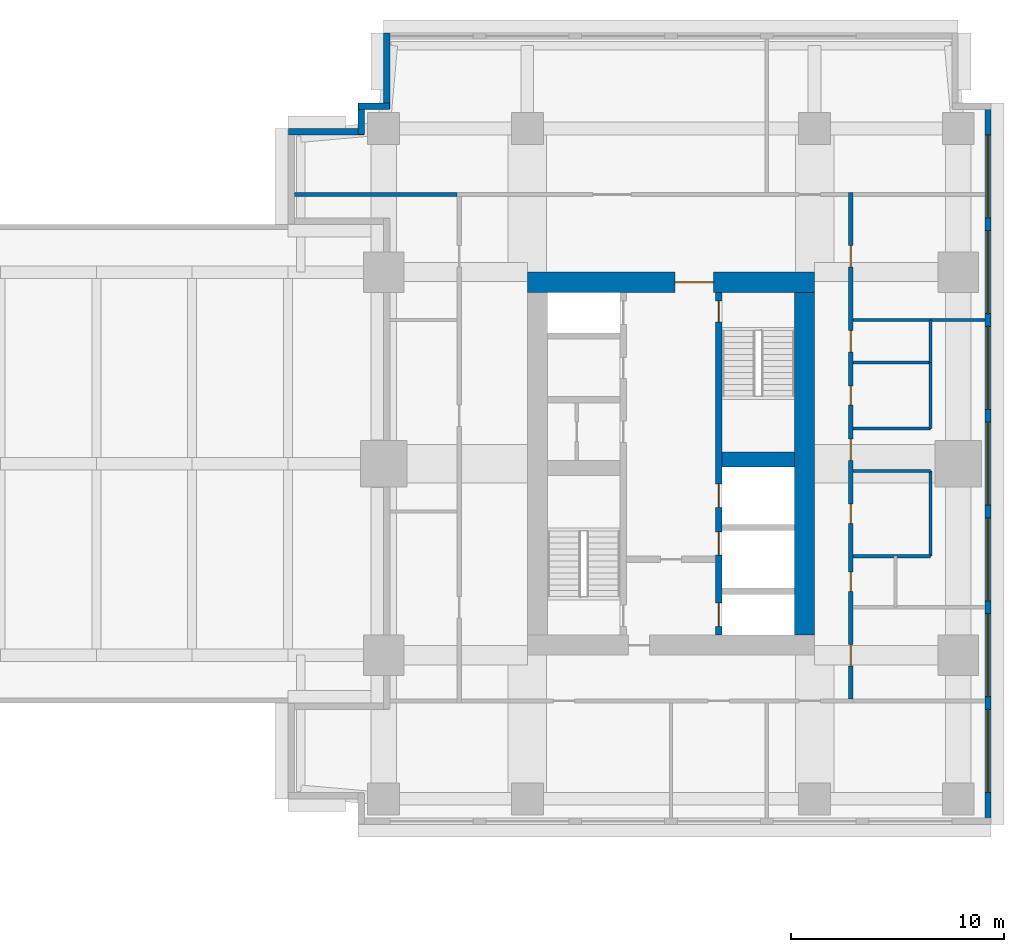
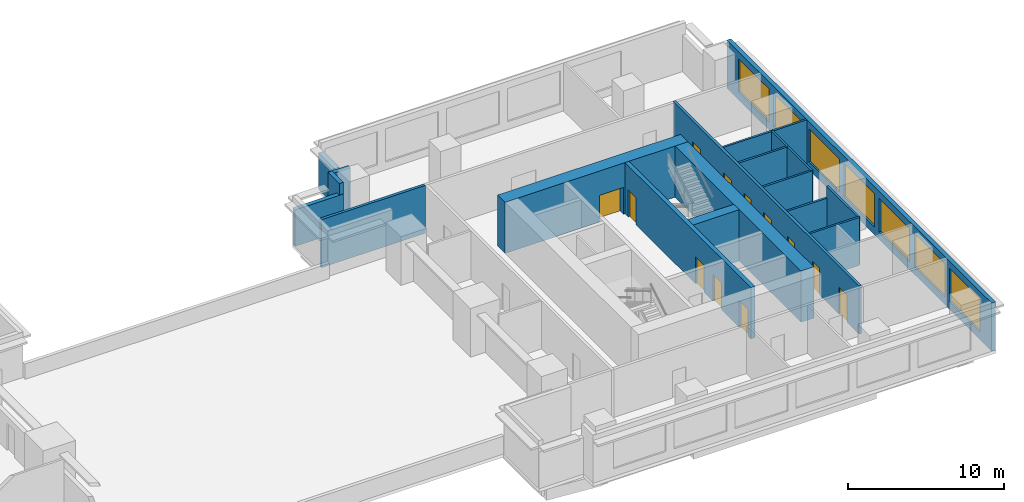
# One storey, part 7 of 10: 19 walls, 12 doors, 7 windows, 19 openings.
"""IFC4 building model written with IfcOpenShell, lengths in metres."""

from ifc_helpers import new_model, si_unit, direction, frame, frame_2d, origin, place, context, subcontext, project, spatial, rectangle, extrude, material, layer, layer_set, type_object, element, fill, save


model = new_model("IFC4")

# Units and contexts
model_context = context("Model", 3, precision=1e-05, world=origin(), true_north=direction((0.0, 1.0)))
body_context = subcontext(model_context, "Body", "Model", "MODEL_VIEW")
ifc_project = project(units=[si_unit("LENGTHUNIT", "METRE"), si_unit("AREAUNIT", "SQUARE_METRE"), si_unit("VOLUMEUNIT", "CUBIC_METRE"), si_unit("PLANEANGLEUNIT", "RADIAN"), si_unit("MASSUNIT", "GRAM", prefix="KILO")], contexts=[model_context])

# Site, building, storey
site_placement = place(None, origin())
site = spatial("IfcSite", under=ifc_project, at=site_placement, CompositionType="ELEMENT")
building_placement = place(site_placement, origin())
building = spatial("IfcBuilding", under=site, at=building_placement, Name="Namib Vertical Campus", CompositionType="ELEMENT")
storey_placement = place(building_placement, frame((0.0, 0.0, 137.0)))
storey = spatial("IfcBuildingStorey", under=building, at=storey_placement, Name="L32", CompositionType="ELEMENT", Elevation=137.0)

# Wall, openings, doors
ifc_material_1 = material(Name="Concrete C60/75", Category="concrete")
ifc_layer_1 = layer(ifc_material_1, 0.300048828125)
ifc_layer_set_1 = layer_set([ifc_layer_1], Name="Concrete C60/75")
wall_type_1 = type_object("IfcWallType", Name="Core inner wall 300", PredefinedType="SHEAR", material=ifc_layer_set_1)
wall_1_placement = place(storey_placement, frame((83.25, 12.199951171875, 0.0), z_axis=(0.0, 0.0, 1.0), x_axis=(0.0, 1.0, 0.0)))
wall_1 = element("IfcWall", 1, at=wall_1_placement, inside=storey, type_object=wall_type_1, Name="Core inner wall B L32 W2", PredefinedType="SHEAR", context=body_context, shape_type="SweptSolid", body=[
    extrude(rectangle(XDim=16.10009765625, YDim=0.300048828125, at=frame_2d((8.050048828125, 0.0))), origin(), (0.0, 0.0, 1.0), 4.0),
])
opening_1_placement = place(wall_1_placement, frame((14.699951171875, 0.0, 0.0)))
opening_1 = element("IfcOpeningElement", 2, at=opening_1_placement, cuts=wall_1, Name="Opening FD1", PredefinedType="OPENING", context=body_context, shape_type="SweptSolid", body=[
    extrude(rectangle(XDim=1.0, YDim=2.10009765625, at=frame_2d((0.5, 1.050048828125))), frame((0.0, 0.159912109375, 0.0), z_axis=(0.0, -1.0, 0.0), x_axis=(1.0, 0.0, 0.0)), (0.0, 0.0, 1.0), 0.320068359375),
])
opening_2_placement = place(wall_1_placement, frame((0.39990234375, 0.0, 0.0)))
opening_2 = element("IfcOpeningElement", 3, at=opening_2_placement, cuts=wall_1, Name="Opening LD1", PredefinedType="OPENING", context=body_context, shape_type="SweptSolid", body=[
    extrude(rectangle(XDim=1.10009765625, YDim=2.10009765625, at=frame_2d((0.550048828125, 1.050048828125))), frame((0.0, 0.159912109375, 0.0), z_axis=(0.0, -1.0, 0.0), x_axis=(1.0, 0.0, 0.0)), (0.0, 0.0, 1.0), 0.320068359375),
])
opening_3_placement = place(wall_1_placement, frame((3.75, 0.0, 0.0)))
opening_3 = element("IfcOpeningElement", 4, at=opening_3_placement, cuts=wall_1, Name="Opening LD1", PredefinedType="OPENING", context=body_context, shape_type="SweptSolid", body=[
    extrude(rectangle(XDim=1.10009765625, YDim=2.10009765625, at=frame_2d((0.550048828125, 1.050048828125))), frame((0.0, 0.159912109375, 0.0), z_axis=(0.0, -1.0, 0.0), x_axis=(1.0, 0.0, 0.0)), (0.0, 0.0, 1.0), 0.320068359375),
])
opening_4_placement = place(wall_1_placement, frame((6.0, 0.0, 0.0)))
opening_4 = element("IfcOpeningElement", 5, at=opening_4_placement, cuts=wall_1, Name="Opening LD1", PredefinedType="OPENING", context=body_context, shape_type="SweptSolid", body=[
    extrude(rectangle(XDim=1.10009765625, YDim=2.10009765625, at=frame_2d((0.550048828125, 1.050048828125))), frame((0.0, 0.159912109375, 0.0), z_axis=(0.0, -1.0, 0.0), x_axis=(1.0, 0.0, 0.0)), (0.0, 0.0, 1.0), 0.320068359375),
])
ifc_material_2 = material(Name="Steel fire door", Category="steel")
door_type_1 = type_object("IfcDoorType", Name="Fire door 1000x2100", OperationType="SINGLE_SWING_RIGHT", PredefinedType="DOOR", material=ifc_material_2)
door_1_placement = place(opening_1_placement, frame((1.0, 0.0, 0.0), z_axis=(0.0, 0.0, 1.0), x_axis=(-1.0, 0.0, 0.0)))
door_1 = element("IfcDoor", 6, at=door_1_placement, inside=storey, type_object=door_type_1, Name="Stair door FD1 B L32 S2", OperationType="SINGLE_SWING_LEFT", OverallHeight=2.10009765625, OverallWidth=1.0, PredefinedType="DOOR", context=body_context, shape_type="SweptSolid", body=[
    extrude(rectangle(XDim=1.0, YDim=2.10009765625, at=frame_2d((0.5, 1.050048828125))), frame((0.0, 0.02490234375, 0.0), z_axis=(0.0, -1.0, 0.0), x_axis=(1.0, 0.0, 0.0)), (0.0, 0.0, 1.0), 0.050048828125),
])
fill(opening_1, door_1)
ifc_material_3 = material(Name="Stainless steel lift door", Category="steel")
door_type_2 = type_object("IfcDoorType", Name="Lift landing door 1100x2100", OperationType="DOUBLE_DOOR_SLIDING", PredefinedType="DOOR", material=ifc_material_3)
door_2_placement = place(opening_2_placement, origin())
door_2 = element("IfcDoor", 7, at=door_2_placement, inside=storey, type_object=door_type_2, Name="Lift landing door LD1 B-FL1 L32", OperationType="DOUBLE_DOOR_SLIDING", OverallHeight=2.10009765625, OverallWidth=1.10009765625, PredefinedType="DOOR", context=body_context, shape_type="SweptSolid", body=[
    extrude(rectangle(XDim=1.10009765625, YDim=2.10009765625, at=frame_2d((0.550048828125, 1.050048828125))), frame((0.0, 0.02490234375, 0.0), z_axis=(0.0, -1.0, 0.0), x_axis=(1.0, 0.0, 0.0)), (0.0, 0.0, 1.0), 0.050048828125),
])
fill(opening_2, door_2)
door_3_placement = place(opening_3_placement, origin())
door_3 = element("IfcDoor", 8, at=door_3_placement, inside=storey, type_object=door_type_2, Name="Lift landing door LD1 B-P4 L32", OperationType="DOUBLE_DOOR_SLIDING", OverallHeight=2.10009765625, OverallWidth=1.10009765625, PredefinedType="DOOR", context=body_context, shape_type="SweptSolid", body=[
    extrude(rectangle(XDim=1.10009765625, YDim=2.10009765625, at=frame_2d((0.550048828125, 1.050048828125))), frame((0.0, 0.02490234375, 0.0), z_axis=(0.0, -1.0, 0.0), x_axis=(1.0, 0.0, 0.0)), (0.0, 0.0, 1.0), 0.050048828125),
])
fill(opening_3, door_3)
door_4_placement = place(opening_4_placement, origin())
door_4 = element("IfcDoor", 9, at=door_4_placement, inside=storey, type_object=door_type_2, Name="Lift landing door LD1 B-P5 L32", OperationType="DOUBLE_DOOR_SLIDING", OverallHeight=2.10009765625, OverallWidth=1.10009765625, PredefinedType="DOOR", context=body_context, shape_type="SweptSolid", body=[
    extrude(rectangle(XDim=1.10009765625, YDim=2.10009765625, at=frame_2d((0.550048828125, 1.050048828125))), frame((0.0, 0.02490234375, 0.0), z_axis=(0.0, -1.0, 0.0), x_axis=(1.0, 0.0, 0.0)), (0.0, 0.0, 1.0), 0.050048828125),
])
fill(opening_4, door_4)

# Walls
ifc_material_4 = material(Name="Concrete C60/75", Category="concrete")
ifc_layer_2 = layer(ifc_material_4, 0.699951171875)
ifc_layer_set_2 = layer_set([ifc_layer_2], Name="Concrete C60/75")
wall_type_2 = type_object("IfcWallType", Name="Core shear wall 700", PredefinedType="SHEAR", material=ifc_layer_set_2)
wall_2_placement = place(storey_placement, frame((83.39990234375, 20.449951171875, 0.0), z_axis=(0.0, 0.0, 1.0), x_axis=(1.0, 0.0, 0.0)))
element("IfcWall", 10, at=wall_2_placement, inside=storey, type_object=wall_type_2, Name="Core shear wall B L32 W7", PredefinedType="SHEAR", context=body_context, shape_type="SweptSolid", body=[
    extrude(rectangle(XDim=3.400146484375, YDim=0.699951171875, at=frame_2d((1.7001953125, 0.0))), origin(), (0.0, 0.0, 1.0), 4.0),
])
ifc_material_5 = material(Name="Concrete C60/75", Category="concrete")
ifc_layer_3 = layer(ifc_material_5, 0.949951171875)
ifc_layer_set_3 = layer_set([ifc_layer_3], Name="Concrete C60/75")
wall_type_3 = type_object("IfcWallType", Name="Core wall 950", PredefinedType="SHEAR", material=ifc_layer_set_3)
wall_3_placement = place(storey_placement, frame((87.27490234375, 12.199951171875, 0.0), z_axis=(0.0, 0.0, 1.0), x_axis=(0.0, 1.0, 0.0)))
element("IfcWall", 11, at=wall_3_placement, inside=storey, type_object=wall_type_3, Name="Core wall B L32 2", PredefinedType="SHEAR", context=body_context, shape_type="SweptSolid", body=[
    extrude(rectangle(XDim=16.10009765625, YDim=0.949951171875, at=frame_2d((8.050048828125, 0.0))), origin(), (0.0, 0.0, 1.0), 4.0),
])

# Wall, opening, door
wall_4_placement = place(storey_placement, frame((87.75, 28.77490234375, 0.0), z_axis=(0.0, 0.0, 1.0), x_axis=(-1.0, 0.0, 0.0)))
wall_4 = element("IfcWall", 12, at=wall_4_placement, inside=storey, type_object=wall_type_3, Name="Core wall B L32 3", PredefinedType="SHEAR", context=body_context, shape_type="SweptSolid", body=[
    extrude(rectangle(XDim=13.5, YDim=0.949951171875, at=frame_2d((6.75, 0.0))), origin(), (0.0, 0.0, 1.0), 4.0),
])
opening_5_placement = place(wall_4_placement, frame((4.75, 0.0, 0.0)))
opening_5 = element("IfcOpeningElement", 13, at=opening_5_placement, cuts=wall_4, Name="Opening FD2", PredefinedType="OPENING", context=body_context, shape_type="SweptSolid", body=[
    extrude(rectangle(XDim=1.800048828125, YDim=2.10009765625, at=frame_2d((0.89990234375, 1.050048828125))), frame((0.0, 0.48486328125, 0.0), z_axis=(0.0, -1.0, 0.0), x_axis=(1.0, 0.0, 0.0)), (0.0, 0.0, 1.0), 0.969970703125),
])
ifc_material_6 = material(Name="Steel fire door", Category="steel")
door_type_3 = type_object("IfcDoorType", Name="Fire door double 1800x2100", OperationType="DOUBLE_DOOR_SINGLE_SWING", PredefinedType="DOOR", material=ifc_material_6)
door_5_placement = place(opening_5_placement, origin())
door_5 = element("IfcDoor", 14, at=door_5_placement, inside=storey, type_object=door_type_3, Name="Lift lobby door FD2 B L32", OperationType="DOUBLE_DOOR_SINGLE_SWING", OverallHeight=2.10009765625, OverallWidth=1.800048828125, PredefinedType="DOOR", context=body_context, shape_type="SweptSolid", body=[
    extrude(rectangle(XDim=1.800048828125, YDim=2.10009765625, at=frame_2d((0.89990234375, 1.050048828125))), frame((0.0, 0.02490234375, 0.0), z_axis=(0.0, -1.0, 0.0), x_axis=(1.0, 0.0, 0.0)), (0.0, 0.0, 1.0), 0.050048828125),
])
fill(opening_5, door_5)

# Wall, openings, doors
ifc_material_7 = material(Name="Concrete masonry", Category="masonry")
ifc_layer_4 = layer(ifc_material_7, 0.199951171875)
ifc_layer_set_4 = layer_set([ifc_layer_4], Name="Corridor wall 200")
wall_type_4 = type_object("IfcWallType", Name="Corridor wall 200", PredefinedType="SOLIDWALL", material=ifc_layer_set_4)
wall_5_placement = place(storey_placement, frame((89.449951171875, 9.199951171875, 0.0), z_axis=(0.0, 0.0, 1.0), x_axis=(0.0, 1.0, 0.0)))
wall_5 = element("IfcWall", 15, at=wall_5_placement, inside=storey, type_object=wall_type_4, Name="Corridor wall B L32 CE", PredefinedType="SOLIDWALL", context=body_context, shape_type="SweptSolid", body=[
    extrude(rectangle(XDim=23.800048828125, YDim=0.199951171875, at=frame_2d((11.89990234375, 0.0))), origin(), (0.0, 0.0, 1.0), 3.75),
])
opening_6_placement = place(wall_5_placement, frame((1.550048828125, 0.0, 0.0)))
opening_6 = element("IfcOpeningElement", 16, at=opening_6_placement, cuts=wall_5, Name="Opening CD1", PredefinedType="OPENING", context=body_context, shape_type="SweptSolid", body=[
    extrude(rectangle(XDim=1.0, YDim=2.10009765625, at=frame_2d((0.5, 1.050048828125))), frame((0.0, 0.10986328125, 0.0), z_axis=(0.0, -1.0, 0.0), x_axis=(1.0, 0.0, 0.0)), (0.0, 0.0, 1.0), 0.219970703125),
])
opening_7_placement = place(wall_5_placement, frame((5.050048828125, 0.0, 0.0)))
opening_7 = element("IfcOpeningElement", 17, at=opening_7_placement, cuts=wall_5, Name="Opening CD3", PredefinedType="OPENING", context=body_context, shape_type="SweptSolid", body=[
    extrude(rectangle(XDim=0.89990234375, YDim=2.10009765625, at=frame_2d((0.449951171875, 1.050048828125))), frame((0.0, 0.10986328125, 0.0), z_axis=(0.0, -1.0, 0.0), x_axis=(1.0, 0.0, 0.0)), (0.0, 0.0, 1.0), 0.219970703125),
])
opening_8_placement = place(wall_5_placement, frame((8.25, 0.0, 0.0)))
opening_8 = element("IfcOpeningElement", 18, at=opening_8_placement, cuts=wall_5, Name="Opening CD3", PredefinedType="OPENING", context=body_context, shape_type="SweptSolid", body=[
    extrude(rectangle(XDim=0.89990234375, YDim=2.10009765625, at=frame_2d((0.449951171875, 1.050048828125))), frame((0.0, 0.10986328125, 0.0), z_axis=(0.0, -1.0, 0.0), x_axis=(1.0, 0.0, 0.0)), (0.0, 0.0, 1.0), 0.219970703125),
])
opening_9_placement = place(wall_5_placement, frame((13.800048828125, 0.0, 0.0)))
opening_9 = element("IfcOpeningElement", 19, at=opening_9_placement, cuts=wall_5, Name="Opening CD3", PredefinedType="OPENING", context=body_context, shape_type="SweptSolid", body=[
    extrude(rectangle(XDim=0.89990234375, YDim=2.10009765625, at=frame_2d((0.449951171875, 1.050048828125))), frame((0.0, 0.10986328125, 0.0), z_axis=(0.0, -1.0, 0.0), x_axis=(1.0, 0.0, 0.0)), (0.0, 0.0, 1.0), 0.219970703125),
])
opening_10_placement = place(wall_5_placement, frame((16.300048828125, 0.0, 0.0)))
opening_10 = element("IfcOpeningElement", 20, at=opening_10_placement, cuts=wall_5, Name="Opening CD1", PredefinedType="OPENING", context=body_context, shape_type="SweptSolid", body=[
    extrude(rectangle(XDim=1.0, YDim=2.10009765625, at=frame_2d((0.5, 1.050048828125))), frame((0.0, 0.10986328125, 0.0), z_axis=(0.0, -1.0, 0.0), x_axis=(1.0, 0.0, 0.0)), (0.0, 0.0, 1.0), 0.219970703125),
])
opening_11_placement = place(wall_5_placement, frame((11.199951171875, 0.0, 0.0)))
opening_11 = element("IfcOpeningElement", 21, at=opening_11_placement, cuts=wall_5, Name="Opening CD1", PredefinedType="OPENING", context=body_context, shape_type="SweptSolid", body=[
    extrude(rectangle(XDim=1.0, YDim=2.10009765625, at=frame_2d((0.5, 1.050048828125))), frame((0.0, 0.10986328125, 0.0), z_axis=(0.0, -1.0, 0.0), x_axis=(1.0, 0.0, 0.0)), (0.0, 0.0, 1.0), 0.219970703125),
])
opening_12_placement = place(wall_5_placement, frame((20.300048828125, 0.0, 0.0)))
opening_12 = element("IfcOpeningElement", 22, at=opening_12_placement, cuts=wall_5, Name="Opening CD1", PredefinedType="OPENING", context=body_context, shape_type="SweptSolid", body=[
    extrude(rectangle(XDim=1.0, YDim=2.10009765625, at=frame_2d((0.5, 1.050048828125))), frame((0.0, 0.10986328125, 0.0), z_axis=(0.0, -1.0, 0.0), x_axis=(1.0, 0.0, 0.0)), (0.0, 0.0, 1.0), 0.219970703125),
])
ifc_material_8 = material(Name="Timber fire door leaf", Category="wood")
door_type_4 = type_object("IfcDoorType", Name="Corridor door 1000x2100 20 min", OperationType="SINGLE_SWING_LEFT", PredefinedType="DOOR", material=ifc_material_8)
door_6_placement = place(opening_6_placement, frame((1.0, 0.0, 0.0), z_axis=(0.0, 0.0, 1.0), x_axis=(-1.0, 0.0, 0.0)))
door_6 = element("IfcDoor", 23, at=door_6_placement, inside=storey, type_object=door_type_4, Name="Door CD1 B32-04", OperationType="SINGLE_SWING_RIGHT", OverallHeight=2.10009765625, OverallWidth=1.0, PredefinedType="DOOR", context=body_context, shape_type="SweptSolid", body=[
    extrude(rectangle(XDim=1.0, YDim=2.10009765625, at=frame_2d((0.5, 1.050048828125))), frame((0.0, 0.02490234375, 0.0), z_axis=(0.0, -1.0, 0.0), x_axis=(1.0, 0.0, 0.0)), (0.0, 0.0, 1.0), 0.050048828125),
])
fill(opening_6, door_6)
door_7_placement = place(opening_10_placement, frame((1.0, 0.0, 0.0), z_axis=(0.0, 0.0, 1.0), x_axis=(-1.0, 0.0, 0.0)))
door_7 = element("IfcDoor", 24, at=door_7_placement, inside=storey, type_object=door_type_4, Name="Door CD1 B32-08", OperationType="SINGLE_SWING_RIGHT", OverallHeight=2.10009765625, OverallWidth=1.0, PredefinedType="DOOR", context=body_context, shape_type="SweptSolid", body=[
    extrude(rectangle(XDim=1.0, YDim=2.10009765625, at=frame_2d((0.5, 1.050048828125))), frame((0.0, 0.02490234375, 0.0), z_axis=(0.0, -1.0, 0.0), x_axis=(1.0, 0.0, 0.0)), (0.0, 0.0, 1.0), 0.050048828125),
])
fill(opening_10, door_7)
door_8_placement = place(opening_11_placement, frame((1.0, 0.0, 0.0), z_axis=(0.0, 0.0, 1.0), x_axis=(-1.0, 0.0, 0.0)))
door_8 = element("IfcDoor", 25, at=door_8_placement, inside=storey, type_object=door_type_4, Name="Door CD1 B32-09", OperationType="SINGLE_SWING_RIGHT", OverallHeight=2.10009765625, OverallWidth=1.0, PredefinedType="DOOR", context=body_context, shape_type="SweptSolid", body=[
    extrude(rectangle(XDim=1.0, YDim=2.10009765625, at=frame_2d((0.5, 1.050048828125))), frame((0.0, 0.02490234375, 0.0), z_axis=(0.0, -1.0, 0.0), x_axis=(1.0, 0.0, 0.0)), (0.0, 0.0, 1.0), 0.050048828125),
])
fill(opening_11, door_8)
door_9_placement = place(opening_12_placement, frame((1.0, 0.0, 0.0), z_axis=(0.0, 0.0, 1.0), x_axis=(-1.0, 0.0, 0.0)))
door_9 = element("IfcDoor", 26, at=door_9_placement, inside=storey, type_object=door_type_4, Name="Door CD1 B32-10", OperationType="SINGLE_SWING_RIGHT", OverallHeight=2.10009765625, OverallWidth=1.0, PredefinedType="DOOR", context=body_context, shape_type="SweptSolid", body=[
    extrude(rectangle(XDim=1.0, YDim=2.10009765625, at=frame_2d((0.5, 1.050048828125))), frame((0.0, 0.02490234375, 0.0), z_axis=(0.0, -1.0, 0.0), x_axis=(1.0, 0.0, 0.0)), (0.0, 0.0, 1.0), 0.050048828125),
])
fill(opening_12, door_9)
ifc_material_9 = material(Name="Timber fire door leaf", Category="wood")
door_type_5 = type_object("IfcDoorType", Name="Corridor toilet door 900x2100 20 min", OperationType="SINGLE_SWING_LEFT", PredefinedType="DOOR", material=ifc_material_9)
door_10_placement = place(opening_7_placement, frame((0.89990234375, 0.0, 0.0), z_axis=(0.0, 0.0, 1.0), x_axis=(-1.0, 0.0, 0.0)))
door_10 = element("IfcDoor", 27, at=door_10_placement, inside=storey, type_object=door_type_5, Name="Door CD3 B32-05", OperationType="SINGLE_SWING_RIGHT", OverallHeight=2.10009765625, OverallWidth=0.89990234375, PredefinedType="DOOR", context=body_context, shape_type="SweptSolid", body=[
    extrude(rectangle(XDim=0.89990234375, YDim=2.10009765625, at=frame_2d((0.449951171875, 1.050048828125))), frame((0.0, 0.02490234375, 0.0), z_axis=(0.0, -1.0, 0.0), x_axis=(1.0, 0.0, 0.0)), (0.0, 0.0, 1.0), 0.050048828125),
])
fill(opening_7, door_10)
door_11_placement = place(opening_8_placement, frame((0.89990234375, 0.0, 0.0), z_axis=(0.0, 0.0, 1.0), x_axis=(-1.0, 0.0, 0.0)))
door_11 = element("IfcDoor", 28, at=door_11_placement, inside=storey, type_object=door_type_5, Name="Door CD3 B32-06", OperationType="SINGLE_SWING_RIGHT", OverallHeight=2.10009765625, OverallWidth=0.89990234375, PredefinedType="DOOR", context=body_context, shape_type="SweptSolid", body=[
    extrude(rectangle(XDim=0.89990234375, YDim=2.10009765625, at=frame_2d((0.449951171875, 1.050048828125))), frame((0.0, 0.02490234375, 0.0), z_axis=(0.0, -1.0, 0.0), x_axis=(1.0, 0.0, 0.0)), (0.0, 0.0, 1.0), 0.050048828125),
])
fill(opening_8, door_11)
door_12_placement = place(opening_9_placement, frame((0.89990234375, 0.0, 0.0), z_axis=(0.0, 0.0, 1.0), x_axis=(-1.0, 0.0, 0.0)))
door_12 = element("IfcDoor", 29, at=door_12_placement, inside=storey, type_object=door_type_5, Name="Door CD3 B32-07", OperationType="SINGLE_SWING_RIGHT", OverallHeight=2.10009765625, OverallWidth=0.89990234375, PredefinedType="DOOR", context=body_context, shape_type="SweptSolid", body=[
    extrude(rectangle(XDim=0.89990234375, YDim=2.10009765625, at=frame_2d((0.449951171875, 1.050048828125))), frame((0.0, 0.02490234375, 0.0), z_axis=(0.0, -1.0, 0.0), x_axis=(1.0, 0.0, 0.0)), (0.0, 0.0, 1.0), 0.050048828125),
])
fill(opening_9, door_12)

# Wall
wall_6_placement = place(storey_placement, frame((63.300048828125, 32.89990234375, 0.0), z_axis=(0.0, 0.0, 1.0), x_axis=(1.0, 0.0, 0.0)))
element("IfcWall", 30, at=wall_6_placement, inside=storey, type_object=wall_type_4, Name="Partition B L32 BNW", PredefinedType="SOLIDWALL", context=body_context, shape_type="SweptSolid", body=[
    extrude(rectangle(XDim=7.64990234375, YDim=0.199951171875, at=frame_2d((3.824951171875, 0.0))), origin(), (0.0, 0.0, 1.0), 3.75),
])

# Wall, openings, windows
ifc_material_10 = material(Name="Concrete C40/50", Category="concrete")
ifc_layer_5 = layer(ifc_material_10, 0.300048828125)
ifc_layer_set_5 = layer_set([ifc_layer_5], Name="Concrete C40/50")
wall_type_5 = type_object("IfcWallType", Name="External wall 300 board-marked concrete", PredefinedType="STANDARD", material=ifc_layer_set_5)
wall_7_placement = place(storey_placement, frame((95.89990234375, 3.320068359375, 0.0), z_axis=(0.0, 0.0, 1.0), x_axis=(0.0, 1.0, 0.0)))
wall_7 = element("IfcWall", 31, at=wall_7_placement, inside=storey, type_object=wall_type_5, Name="External wall L32 F05", PredefinedType="STANDARD", context=body_context, shape_type="SweptSolid", body=[
    extrude(rectangle(XDim=33.85986328125, YDim=0.300048828125, at=frame_2d((16.929931640625, 0.0))), origin(), (0.0, 0.0, 1.0), 3.75),
])
opening_13_placement = place(wall_7_placement, frame((1.47998046875, 0.0, 0.60009765625)))
opening_13 = element("IfcOpeningElement", 32, at=opening_13_placement, cuts=wall_7, Name="Opening W2", PredefinedType="OPENING", context=body_context, shape_type="SweptSolid", body=[
    extrude(rectangle(XDim=3.89990234375, YDim=2.60009765625, at=frame_2d((1.949951171875, 1.300048828125))), frame((0.0, 0.159912109375, 0.0), z_axis=(0.0, -1.0, 0.0), x_axis=(1.0, 0.0, 0.0)), (0.0, 0.0, 1.0), 0.320068359375),
])
opening_14_placement = place(wall_7_placement, frame((5.97998046875, 0.0, 0.60009765625)))
opening_14 = element("IfcOpeningElement", 33, at=opening_14_placement, cuts=wall_7, Name="Opening W2", PredefinedType="OPENING", context=body_context, shape_type="SweptSolid", body=[
    extrude(rectangle(XDim=3.89990234375, YDim=2.60009765625, at=frame_2d((1.949951171875, 1.300048828125))), frame((0.0, 0.159912109375, 0.0), z_axis=(0.0, -1.0, 0.0), x_axis=(1.0, 0.0, 0.0)), (0.0, 0.0, 1.0), 0.320068359375),
])
opening_15_placement = place(wall_7_placement, frame((10.47998046875, 0.0, 0.60009765625)))
opening_15 = element("IfcOpeningElement", 34, at=opening_15_placement, cuts=wall_7, Name="Opening W2", PredefinedType="OPENING", context=body_context, shape_type="SweptSolid", body=[
    extrude(rectangle(XDim=3.89990234375, YDim=2.60009765625, at=frame_2d((1.949951171875, 1.300048828125))), frame((0.0, 0.159912109375, 0.0), z_axis=(0.0, -1.0, 0.0), x_axis=(1.0, 0.0, 0.0)), (0.0, 0.0, 1.0), 0.320068359375),
])
opening_16_placement = place(wall_7_placement, frame((14.97998046875, 0.0, 0.60009765625)))
opening_16 = element("IfcOpeningElement", 35, at=opening_16_placement, cuts=wall_7, Name="Opening W2", PredefinedType="OPENING", context=body_context, shape_type="SweptSolid", body=[
    extrude(rectangle(XDim=3.89990234375, YDim=2.60009765625, at=frame_2d((1.949951171875, 1.300048828125))), frame((0.0, 0.159912109375, 0.0), z_axis=(0.0, -1.0, 0.0), x_axis=(1.0, 0.0, 0.0)), (0.0, 0.0, 1.0), 0.320068359375),
])
opening_17_placement = place(wall_7_placement, frame((19.47998046875, 0.0, 0.60009765625)))
opening_17 = element("IfcOpeningElement", 36, at=opening_17_placement, cuts=wall_7, Name="Opening W2", PredefinedType="OPENING", context=body_context, shape_type="SweptSolid", body=[
    extrude(rectangle(XDim=3.89990234375, YDim=2.60009765625, at=frame_2d((1.949951171875, 1.300048828125))), frame((0.0, 0.159912109375, 0.0), z_axis=(0.0, -1.0, 0.0), x_axis=(1.0, 0.0, 0.0)), (0.0, 0.0, 1.0), 0.320068359375),
])
opening_18_placement = place(wall_7_placement, frame((23.97998046875, 0.0, 0.60009765625)))
opening_18 = element("IfcOpeningElement", 37, at=opening_18_placement, cuts=wall_7, Name="Opening W2", PredefinedType="OPENING", context=body_context, shape_type="SweptSolid", body=[
    extrude(rectangle(XDim=3.89990234375, YDim=2.60009765625, at=frame_2d((1.949951171875, 1.300048828125))), frame((0.0, 0.159912109375, 0.0), z_axis=(0.0, -1.0, 0.0), x_axis=(1.0, 0.0, 0.0)), (0.0, 0.0, 1.0), 0.320068359375),
])
opening_19_placement = place(wall_7_placement, frame((28.47998046875, 0.0, 0.60009765625)))
opening_19 = element("IfcOpeningElement", 38, at=opening_19_placement, cuts=wall_7, Name="Opening W2", PredefinedType="OPENING", context=body_context, shape_type="SweptSolid", body=[
    extrude(rectangle(XDim=3.89990234375, YDim=2.60009765625, at=frame_2d((1.949951171875, 1.300048828125))), frame((0.0, 0.159912109375, 0.0), z_axis=(0.0, -1.0, 0.0), x_axis=(1.0, 0.0, 0.0)), (0.0, 0.0, 1.0), 0.320068359375),
])
ifc_material_11 = material(Name="Dark tinted glass in black aluminium frame", Category="aluminium")
window_type = type_object("IfcWindowType", Name="Ribbon window 3900x2600", PartitioningType="SINGLE_PANEL", PredefinedType="WINDOW", material=ifc_material_11)
window_1_placement = place(opening_13_placement, origin())
window_1 = element("IfcWindow", 39, at=window_1_placement, inside=storey, type_object=window_type, Name="Window W2 L32 F05-1", OverallHeight=2.60009765625, OverallWidth=3.89990234375, PartitioningType="SINGLE_PANEL", PredefinedType="WINDOW", context=body_context, shape_type="SweptSolid", body=[
    extrude(rectangle(XDim=3.89990234375, YDim=2.60009765625, at=frame_2d((1.949951171875, 1.300048828125))), frame((0.0, 0.030029296875, 0.0), z_axis=(0.0, -1.0, 0.0), x_axis=(1.0, 0.0, 0.0)), (0.0, 0.0, 1.0), 0.06005859375),
])
fill(opening_13, window_1)
window_2_placement = place(opening_14_placement, origin())
window_2 = element("IfcWindow", 40, at=window_2_placement, inside=storey, type_object=window_type, Name="Window W2 L32 F05-2", OverallHeight=2.60009765625, OverallWidth=3.89990234375, PartitioningType="SINGLE_PANEL", PredefinedType="WINDOW", context=body_context, shape_type="SweptSolid", body=[
    extrude(rectangle(XDim=3.89990234375, YDim=2.60009765625, at=frame_2d((1.949951171875, 1.300048828125))), frame((0.0, 0.030029296875, 0.0), z_axis=(0.0, -1.0, 0.0), x_axis=(1.0, 0.0, 0.0)), (0.0, 0.0, 1.0), 0.06005859375),
])
fill(opening_14, window_2)
window_3_placement = place(opening_15_placement, origin())
window_3 = element("IfcWindow", 41, at=window_3_placement, inside=storey, type_object=window_type, Name="Window W2 L32 F05-3", OverallHeight=2.60009765625, OverallWidth=3.89990234375, PartitioningType="SINGLE_PANEL", PredefinedType="WINDOW", context=body_context, shape_type="SweptSolid", body=[
    extrude(rectangle(XDim=3.89990234375, YDim=2.60009765625, at=frame_2d((1.949951171875, 1.300048828125))), frame((0.0, 0.030029296875, 0.0), z_axis=(0.0, -1.0, 0.0), x_axis=(1.0, 0.0, 0.0)), (0.0, 0.0, 1.0), 0.06005859375),
])
fill(opening_15, window_3)
window_4_placement = place(opening_16_placement, origin())
window_4 = element("IfcWindow", 42, at=window_4_placement, inside=storey, type_object=window_type, Name="Window W2 L32 F05-4", OverallHeight=2.60009765625, OverallWidth=3.89990234375, PartitioningType="SINGLE_PANEL", PredefinedType="WINDOW", context=body_context, shape_type="SweptSolid", body=[
    extrude(rectangle(XDim=3.89990234375, YDim=2.60009765625, at=frame_2d((1.949951171875, 1.300048828125))), frame((0.0, 0.030029296875, 0.0), z_axis=(0.0, -1.0, 0.0), x_axis=(1.0, 0.0, 0.0)), (0.0, 0.0, 1.0), 0.06005859375),
])
fill(opening_16, window_4)
window_5_placement = place(opening_17_placement, origin())
window_5 = element("IfcWindow", 43, at=window_5_placement, inside=storey, type_object=window_type, Name="Window W2 L32 F05-5", OverallHeight=2.60009765625, OverallWidth=3.89990234375, PartitioningType="SINGLE_PANEL", PredefinedType="WINDOW", context=body_context, shape_type="SweptSolid", body=[
    extrude(rectangle(XDim=3.89990234375, YDim=2.60009765625, at=frame_2d((1.949951171875, 1.300048828125))), frame((0.0, 0.030029296875, 0.0), z_axis=(0.0, -1.0, 0.0), x_axis=(1.0, 0.0, 0.0)), (0.0, 0.0, 1.0), 0.06005859375),
])
fill(opening_17, window_5)
window_6_placement = place(opening_18_placement, origin())
window_6 = element("IfcWindow", 44, at=window_6_placement, inside=storey, type_object=window_type, Name="Window W2 L32 F05-6", OverallHeight=2.60009765625, OverallWidth=3.89990234375, PartitioningType="SINGLE_PANEL", PredefinedType="WINDOW", context=body_context, shape_type="SweptSolid", body=[
    extrude(rectangle(XDim=3.89990234375, YDim=2.60009765625, at=frame_2d((1.949951171875, 1.300048828125))), frame((0.0, 0.030029296875, 0.0), z_axis=(0.0, -1.0, 0.0), x_axis=(1.0, 0.0, 0.0)), (0.0, 0.0, 1.0), 0.06005859375),
])
fill(opening_18, window_6)
window_7_placement = place(opening_19_placement, origin())
window_7 = element("IfcWindow", 45, at=window_7_placement, inside=storey, type_object=window_type, Name="Window W2 L32 F05-7", OverallHeight=2.60009765625, OverallWidth=3.89990234375, PartitioningType="SINGLE_PANEL", PredefinedType="WINDOW", context=body_context, shape_type="SweptSolid", body=[
    extrude(rectangle(XDim=3.89990234375, YDim=2.60009765625, at=frame_2d((1.949951171875, 1.300048828125))), frame((0.0, 0.030029296875, 0.0), z_axis=(0.0, -1.0, 0.0), x_axis=(1.0, 0.0, 0.0)), (0.0, 0.0, 1.0), 0.06005859375),
])
fill(opening_19, window_7)

# Walls
wall_8_placement = place(storey_placement, frame((67.64990234375, 40.47998046875, 0.0), z_axis=(0.0, 0.0, 1.0), x_axis=(0.0, -1.0, 0.0)))
element("IfcWall", 46, at=wall_8_placement, inside=storey, type_object=wall_type_5, Name="External wall L32 F09", PredefinedType="STANDARD", context=body_context, shape_type="SweptSolid", body=[
    extrude(rectangle(XDim=3.56005859375, YDim=0.300048828125, at=frame_2d((1.780029296875, 0.0))), origin(), (0.0, 0.0, 1.0), 2.85009765625),
])
for number, where, z_axis, x_axis, name in (
    (47, (67.780029296875, 37.050048828125, 0.0), (0.0, 0.0, 1.0), (-1.0, 0.0, 0.0), "External wall L32 F10"),
    (48, (66.449951171875, 37.179931640625, 0.0), (0.0, 0.0, 1.0), (0.0, -1.0, 0.0), "External wall L32 F11"),
):
    element("IfcWall", number, at=place(storey_placement, frame(where, z_axis=z_axis, x_axis=x_axis)), inside=storey, type_object=wall_type_5, Name=name, PredefinedType="STANDARD", context=body_context, shape_type="SweptSolid", body=[
        extrude(rectangle(XDim=1.4599609375, YDim=0.300048828125, at=frame_2d((0.72998046875, 0.0))), origin(), (0.0, 0.0, 1.0), 3.75),
    ])
wall_9_placement = place(storey_placement, frame((66.580078125, 35.85009765625, 0.0), z_axis=(0.0, 0.0, 1.0), x_axis=(-1.0, 0.0, 0.0)))
element("IfcWall", 49, at=wall_9_placement, inside=storey, type_object=wall_type_5, Name="External wall L32 F12", PredefinedType="STANDARD", context=body_context, shape_type="SweptSolid", body=[
    extrude(rectangle(XDim=3.56005859375, YDim=0.300048828125, at=frame_2d((1.780029296875, 0.0))), origin(), (0.0, 0.0, 1.0), 2.85009765625),
])
ifc_material_12 = material(Name="Gypsum board on steel studs", Category="steel")
ifc_layer_6 = layer(ifc_material_12, 0.14990234375)
ifc_layer_set_6 = layer_set([ifc_layer_6], Name="Gypsum board on steel studs")
wall_type_6 = type_object("IfcWallType", Name="Partition 150", PredefinedType="PARTITIONING", material=ifc_layer_set_6)
wall_10_placement = place(storey_placement, frame((89.550048828125, 27.0, 0.0), z_axis=(0.0, 0.0, 1.0), x_axis=(1.0, 0.0, 0.0)))
element("IfcWall", 50, at=wall_10_placement, inside=storey, type_object=wall_type_6, Name="Partition B L32 PE2", PredefinedType="PARTITIONING", context=body_context, shape_type="SweptSolid", body=[
    extrude(rectangle(XDim=6.199951171875, YDim=0.14990234375, at=frame_2d((3.10009765625, 0.0))), origin(), (0.0, 0.0, 1.0), 3.75),
])
wall_11_placement = place(storey_placement, frame((89.550048828125, 15.89990234375, 0.0), z_axis=(0.0, 0.0, 1.0), x_axis=(1.0, 0.0, 0.0)))
element("IfcWall", 51, at=wall_11_placement, inside=storey, type_object=wall_type_6, Name="Partition B L32 WR1", PredefinedType="PARTITIONING", context=body_context, shape_type="SweptSolid", body=[
    extrude(rectangle(XDim=3.64990234375, YDim=0.14990234375, at=frame_2d((1.824951171875, 0.0))), origin(), (0.0, 0.0, 1.0), 3.75),
])
wall_12_placement = place(storey_placement, frame((89.550048828125, 19.89990234375, 0.0), z_axis=(0.0, 0.0, 1.0), x_axis=(1.0, 0.0, 0.0)))
element("IfcWall", 52, at=wall_12_placement, inside=storey, type_object=wall_type_6, Name="Partition B L32 WR2", PredefinedType="PARTITIONING", context=body_context, shape_type="SweptSolid", body=[
    extrude(rectangle(XDim=3.64990234375, YDim=0.14990234375, at=frame_2d((1.824951171875, 0.0))), origin(), (0.0, 0.0, 1.0), 2.85009765625),
])
for number, where, z_axis, x_axis, name in (
    (53, (89.550048828125, 21.89990234375, 0.0), (0.0, 0.0, 1.0), (1.0, 0.0, 0.0), "Partition B L32 WR3"),
    (54, (89.550048828125, 25.0, 0.0), (0.0, 0.0, 1.0), (1.0, 0.0, 0.0), "Partition B L32 WR4"),
):
    element("IfcWall", number, at=place(storey_placement, frame(where, z_axis=z_axis, x_axis=x_axis)), inside=storey, type_object=wall_type_6, Name=name, PredefinedType="PARTITIONING", context=body_context, shape_type="SweptSolid", body=[
        extrude(rectangle(XDim=3.64990234375, YDim=0.14990234375, at=frame_2d((1.824951171875, 0.0))), origin(), (0.0, 0.0, 1.0), 3.75),
    ])
wall_13_placement = place(storey_placement, frame((93.199951171875, 15.89990234375, 0.0), z_axis=(0.0, 0.0, 1.0), x_axis=(0.0, 1.0, 0.0)))
element("IfcWall", 55, at=wall_13_placement, inside=storey, type_object=wall_type_6, Name="Partition B L32 WB2", PredefinedType="PARTITIONING", context=body_context, shape_type="SweptSolid", body=[
    extrude(rectangle(XDim=4.0, YDim=0.14990234375, at=frame_2d((2.0, 0.0))), origin(), (0.0, 0.0, 1.0), 3.75),
])
wall_14_placement = place(storey_placement, frame((93.199951171875, 21.89990234375, 0.0), z_axis=(0.0, 0.0, 1.0), x_axis=(0.0, 1.0, 0.0)))
element("IfcWall", 56, at=wall_14_placement, inside=storey, type_object=wall_type_6, Name="Partition B L32 WB3", PredefinedType="PARTITIONING", context=body_context, shape_type="SweptSolid", body=[
    extrude(rectangle(XDim=3.10009765625, YDim=0.14990234375, at=frame_2d((1.550048828125, 0.0))), origin(), (0.0, 0.0, 1.0), 3.75),
])
wall_15_placement = place(storey_placement, frame((93.199951171875, 25.0, 0.0), z_axis=(0.0, 0.0, 1.0), x_axis=(0.0, 1.0, 0.0)))
element("IfcWall", 57, at=wall_15_placement, inside=storey, type_object=wall_type_6, Name="Partition B L32 WB4", PredefinedType="PARTITIONING", context=body_context, shape_type="SweptSolid", body=[
    extrude(rectangle(XDim=2.0, YDim=0.14990234375, at=frame_2d((1.0, 0.0))), origin(), (0.0, 0.0, 1.0), 3.75),
])

save(model, "model.ifc")
